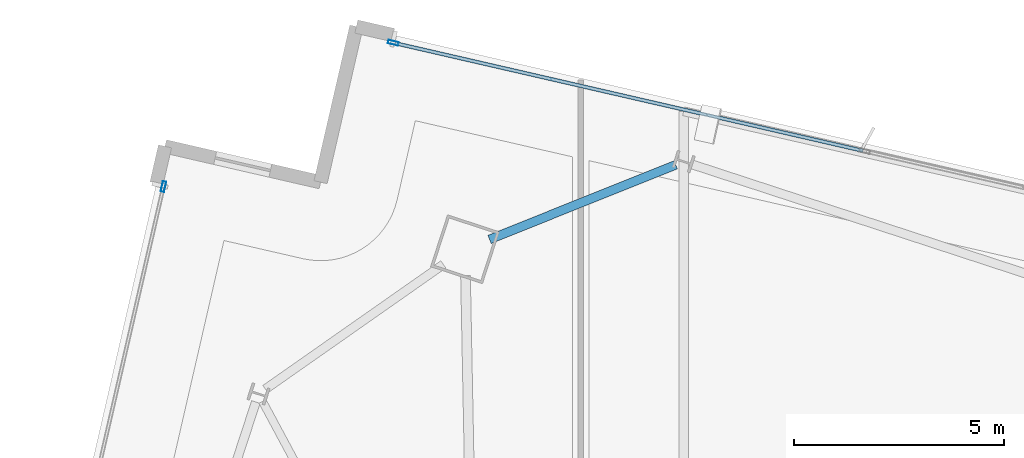
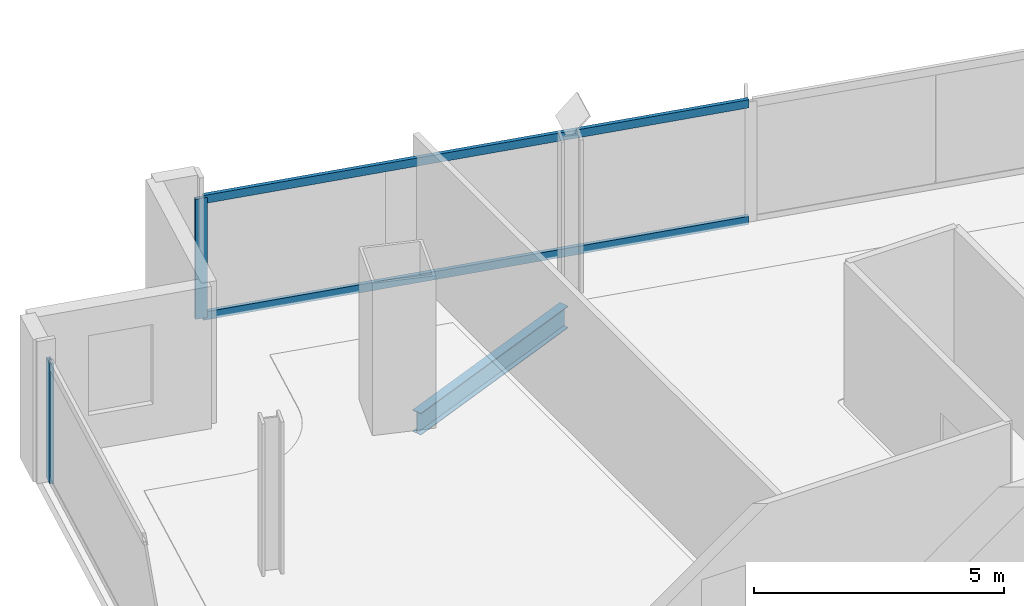
# One storey, part 15 of 28: 4 members, 1 beam, 2 elements without a shape of their own.
"""IFC4 building model written with IfcOpenShell, lengths in metres."""

from ifc_helpers import new_model, si_unit, direction, frame, origin, origin_2d, place, context, subcontext, project, spatial, hollow_rectangle, i_section, extrude, material, material_profile, profile_set, type_object, element, aggregate, save


model = new_model("IFC4")

# Units and contexts
model_context = context("Model", 3, precision=1e-05, world=origin(), true_north=direction((0.0, 1.0)))
body_context = subcontext(model_context, "Body", "Model", "MODEL_VIEW")
ifc_project = project(units=[si_unit("LENGTHUNIT", "METRE"), si_unit("AREAUNIT", "SQUARE_METRE"), si_unit("VOLUMEUNIT", "CUBIC_METRE"), si_unit("PLANEANGLEUNIT", "RADIAN"), si_unit("MASSUNIT", "GRAM", prefix="KILO")], contexts=[model_context])

# Site, building, storey
site_placement = place(None, origin())
site = spatial("IfcSite", under=ifc_project, at=site_placement, CompositionType="ELEMENT")
building_placement = place(site_placement, origin())
building = spatial("IfcBuilding", under=site, at=building_placement, Name="Haldenkirk Collegiate Tower", CompositionType="ELEMENT")
storey_placement = place(building_placement, frame((0.0, 0.0, 286.199951171875)))
storey = spatial("IfcBuildingStorey", under=building, at=storey_placement, Name="L72", CompositionType="ELEMENT", Elevation=286.199951171875)

# Beam
ifc_material_1 = material(Name="Steel ASTM A992 Grade 50", Category="steel")
ifc_material_profile_1 = material_profile(ifc_material_1, i_section(OverallWidth=0.2099609375, OverallDepth=0.537109375, WebThickness=0.010986328125, FlangeThickness=0.017333984375, at=origin_2d()), Name="W21X68")
ifc_profile_set_1 = profile_set([ifc_material_profile_1], Name="Steel ASTM A992 Grade 50")
beam_type = type_object("IfcBeamType", Name="BM-SPANDREL-W21X68", PredefinedType="SPANDREL", material=ifc_profile_set_1)
beam_placement = place(storey_placement, frame((31.761474609375, 49.0830078125, -0.538330078125), z_axis=(-0.928296709602, -0.371840313768, 0.0), x_axis=(0.371840313768, -0.928296709602, 0.0)))
element("IfcBeam", 1, at=beam_placement, inside=storey, type_object=beam_type, Name="L72 perimeter spandrel beam 08", PredefinedType="SPANDREL", context=body_context, shape_type="SweptSolid", body=[
    extrude(i_section(OverallWidth=0.2099609375, OverallDepth=0.537109375, WebThickness=0.010986328125, FlangeThickness=0.017333984375, at=origin_2d()), origin(), (0.0, 0.0, 1.0), 4.77392578125),
])

# Curtain wall, member
ifc_material_2 = material(Name="Anodised architectural bronze aluminium", Category="aluminium")
curtain_wall_type = type_object("IfcCurtainWallType", Name="CW-SYS1B-CONVEX-HI", PredefinedType="USERDEFINED", material=ifc_material_2)
curtain_wall_1_placement = place(storey_placement, origin())
curtain_wall_1 = element("IfcCurtainWall", 2, at=curtain_wall_1_placement, inside=storey, type_object=curtain_wall_type, Name="L72 Upper tower high-wind convex bronze unitised curtain wall", ObjectType="UNITISED CURTAIN WALL", PredefinedType="USERDEFINED")
ifc_material_profile_2 = material_profile(ifc_material_2, hollow_rectangle(XDim=0.0849609375, YDim=0.25, WallThickness=0.0048828125, at=origin_2d()), Name="CW-MUL-1B")
ifc_profile_set_2 = profile_set([ifc_material_profile_2], Name="Anodised architectural bronze aluminium")
member_type_1 = type_object("IfcMemberType", Name="CW-MUL-1B", PredefinedType="MULLION", material=ifc_profile_set_2)
member_1_placement = place(storey_placement, frame((25.03759765625, 51.98779296875, 0.0), z_axis=(0.0, 0.0, 1.0), x_axis=(0.22410077316, 0.974565976971, 0.0)))
member_1 = element("IfcMember", 3, at=member_1_placement, type_object=member_type_1, Name="CW-1B mullion 1", PredefinedType="MULLION", context=body_context, shape_type="SweptSolid", body=[
    extrude(hollow_rectangle(XDim=0.0849609375, YDim=0.25, WallThickness=0.0048828125, at=origin_2d()), origin(), (0.0, 0.0, 1.0), 2.93798828125),
])

curtain_wall_2_placement = place(storey_placement, origin())
curtain_wall_2 = element("IfcCurtainWall", 4, at=curtain_wall_2_placement, inside=storey, type_object=curtain_wall_type, Name="L72 Upper tower high-wind convex bronze unitised curtain wall", ObjectType="UNITISED CURTAIN WALL", PredefinedType="USERDEFINED")
member_2_placement = place(storey_placement, frame((19.568603515625, 48.563720703125, 0.0), z_axis=(0.0, 0.0, 1.0), x_axis=(-0.974566006497, 0.224100644756, 0.0)))
member_2 = element("IfcMember", 5, at=member_2_placement, type_object=member_type_1, Name="CW-1B mullion 4", PredefinedType="MULLION", context=body_context, shape_type="SweptSolid", body=[
    extrude(hollow_rectangle(XDim=0.0849609375, YDim=0.25, WallThickness=0.0048828125, at=origin_2d()), origin(), (0.0, 0.0, 1.0), 2.93798828125),
])
aggregate(curtain_wall_2, [member_2])

# Member
ifc_material_profile_3 = material_profile(ifc_material_2, hollow_rectangle(XDim=0.0849609375, YDim=0.199951171875, WallThickness=0.0048828125, at=origin_2d()), Name="CW-TRN-1B")
ifc_profile_set_3 = profile_set([ifc_material_profile_3], Name="Anodised architectural bronze aluminium")
member_type_2 = type_object("IfcMemberType", Name="CW-TRN-1B", PredefinedType="USERDEFINED", material=ifc_profile_set_3)
member_3_placement = place(storey_placement, frame((25.078857421875, 51.978271484375, 0.04248046875), z_axis=(0.974564050352, -0.224109151443, 0.0), x_axis=(0.224109151443, 0.974564050352, 0.0)))
member_3 = element("IfcMember", 6, at=member_3_placement, type_object=member_type_2, Name="CW-1B transom 1.1", ObjectType="TRANSOM", PredefinedType="USERDEFINED", context=body_context, shape_type="SweptSolid", body=[
    extrude(hollow_rectangle(XDim=0.0849609375, YDim=0.199951171875, WallThickness=0.0048828125, at=origin_2d()), origin(), (0.0, 0.0, 1.0), 11.430908203125),
])

member_4_placement = place(storey_placement, frame((25.078857421875, 51.978271484375, 2.8955078125), z_axis=(0.974564050352, -0.224109151443, 0.0), x_axis=(0.224109151443, 0.974564050352, 0.0)))
member_4 = element("IfcMember", 7, at=member_4_placement, type_object=member_type_2, Name="CW-1B transom 1.2", ObjectType="TRANSOM", PredefinedType="USERDEFINED", context=body_context, shape_type="SweptSolid", body=[
    extrude(hollow_rectangle(XDim=0.0849609375, YDim=0.199951171875, WallThickness=0.0048828125, at=origin_2d()), origin(), (0.0, 0.0, 1.0), 11.430908203125),
])

aggregate(curtain_wall_1, [member_1, member_3, member_4])

save(model, "model.ifc")
